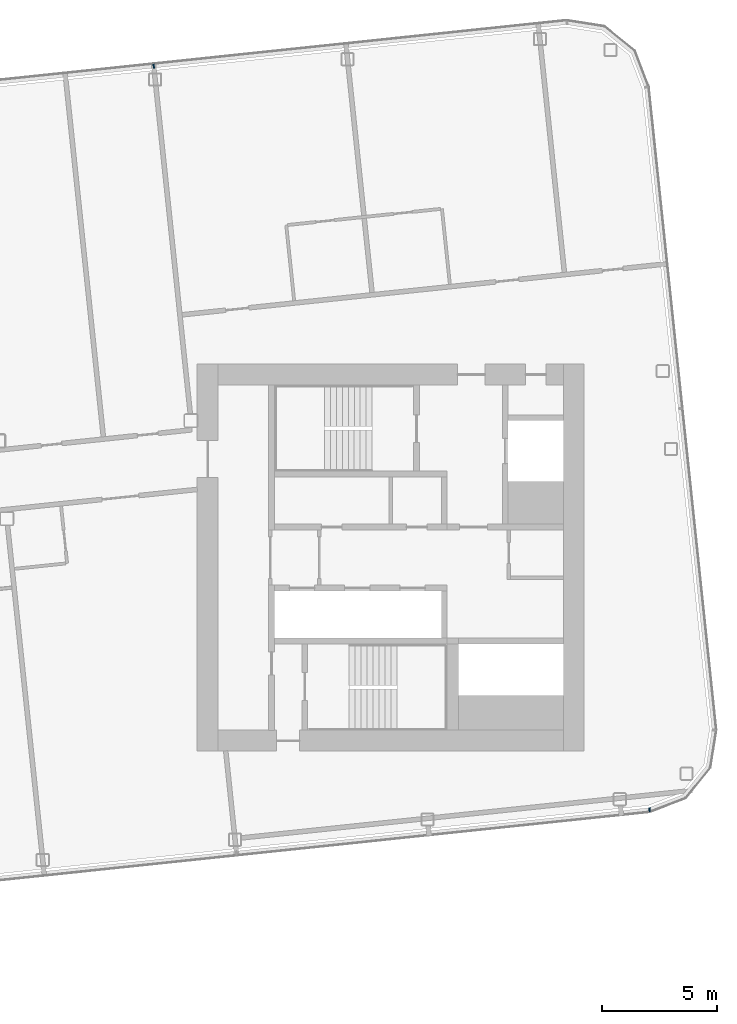
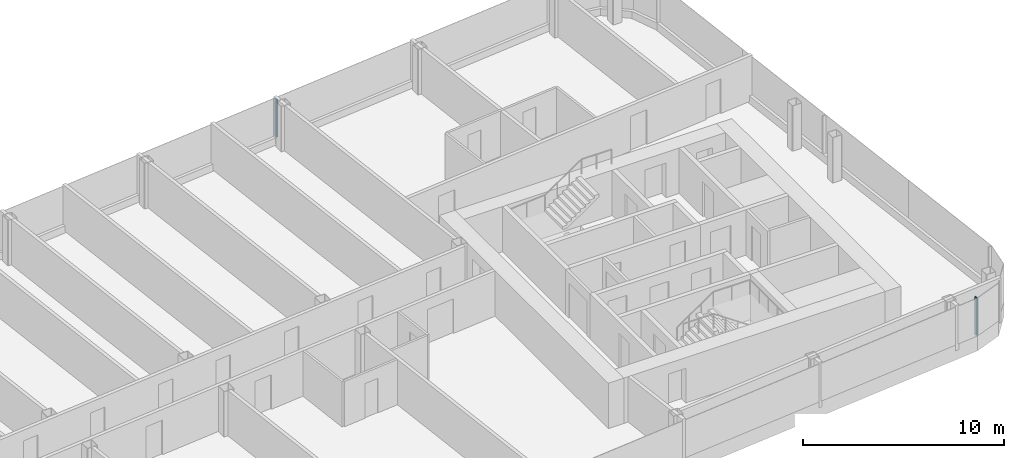
# One storey, part 11 of 27: 2 members, 2 elements without a shape of their own.
"""IFC4 building model written with IfcOpenShell, lengths in metres."""

from ifc_helpers import new_model, si_unit, direction, frame, origin, origin_2d, place, context, subcontext, project, spatial, rectangle, extrude, material, layer, layer_set, material_profile, profile_set, type_object, element, aggregate, save


model = new_model("IFC4")

# Units and contexts
model_context = context("Model", 3, precision=1e-05, world=origin(), true_north=direction((0.0, 1.0)))
body_context = subcontext(model_context, "Body", "Model", "MODEL_VIEW")
ifc_project = project(units=[si_unit("LENGTHUNIT", "METRE"), si_unit("AREAUNIT", "SQUARE_METRE"), si_unit("VOLUMEUNIT", "CUBIC_METRE"), si_unit("PLANEANGLEUNIT", "RADIAN"), si_unit("MASSUNIT", "GRAM", prefix="KILO")], contexts=[model_context])

# Site, building, storey
site_placement = place(None, origin())
site = spatial("IfcSite", under=ifc_project, at=site_placement, CompositionType="ELEMENT")
building_placement = place(site_placement, origin())
building = spatial("IfcBuilding", under=site, at=building_placement, Name="Hakoniwa Tower and Hamabe Station Hall", CompositionType="ELEMENT")
storey_placement = place(building_placement, frame((0.0, 0.0, 239.0)))
storey = spatial("IfcBuildingStorey", under=building, at=storey_placement, Name="L67", CompositionType="ELEMENT", Elevation=239.0)

# Curtain wall, member
ifc_material_1 = material(Name="Dark low-e laminated glass", Category="glass")
ifc_layer = layer(ifc_material_1, 0.199951171875)
ifc_layer_set = layer_set([ifc_layer], Name="CW-1 UNITISED GUEST")
curtain_wall_type = type_object("IfcCurtainWallType", Name="CW-1 UNITISED GUEST", PredefinedType="NOTDEFINED", material=ifc_layer_set)
curtain_wall_1_placement = place(storey_placement, origin())
curtain_wall_1 = element("IfcCurtainWall", 1, at=curtain_wall_1_placement, inside=storey, type_object=curtain_wall_type, Name="CW-1 curtain wall", PredefinedType="NOTDEFINED")
ifc_material_2 = material(Name="Aluminium 6063-T5 black anodised", Category="aluminium")
ifc_material_profile = material_profile(ifc_material_2, rectangle(XDim=0.06005859375, YDim=0.179931640625, at=origin_2d()), Name="CW-1 MULLION 60X180")
ifc_profile_set = profile_set([ifc_material_profile], Name="Aluminium 6063-T5 black anodised")
member_type = type_object("IfcMemberType", Name="CW-1 MULLION 60X180", PredefinedType="MULLION", material=ifc_profile_set)
member_1_placement = place(storey_placement, frame((14.911865234375, 21.343994140625, 0.35009765625), z_axis=(0.0, 0.0, 1.0), x_axis=(-0.994521895272, -0.104528464188, 0.0)))
member_1 = element("IfcMember", 2, at=member_1_placement, type_object=member_type, Name="CW-1 mullion", PredefinedType="MULLION", context=body_context, shape_type="SweptSolid", body=[
    extrude(rectangle(XDim=0.06005859375, YDim=0.179931640625, at=origin_2d()), origin(), (0.0, 0.0, 1.0), 2.2998046875),
])
aggregate(curtain_wall_1, [member_1])

curtain_wall_2_placement = place(storey_placement, origin())
curtain_wall_2 = element("IfcCurtainWall", 3, at=curtain_wall_2_placement, inside=storey, type_object=curtain_wall_type, Name="CW-1 curtain wall", PredefinedType="NOTDEFINED")
member_2_placement = place(storey_placement, frame((36.444580078125, -10.946044921875, 0.35009765625), z_axis=(0.0, 0.0, 1.0), x_axis=(0.994521895272, 0.104528464188, 0.0)))
member_2 = element("IfcMember", 4, at=member_2_placement, type_object=member_type, Name="CW-1 mullion", PredefinedType="MULLION", context=body_context, shape_type="SweptSolid", body=[
    extrude(rectangle(XDim=0.06005859375, YDim=0.179931640625, at=origin_2d()), origin(), (0.0, 0.0, 1.0), 2.2998046875),
])
aggregate(curtain_wall_2, [member_2])

save(model, "model.ifc")
